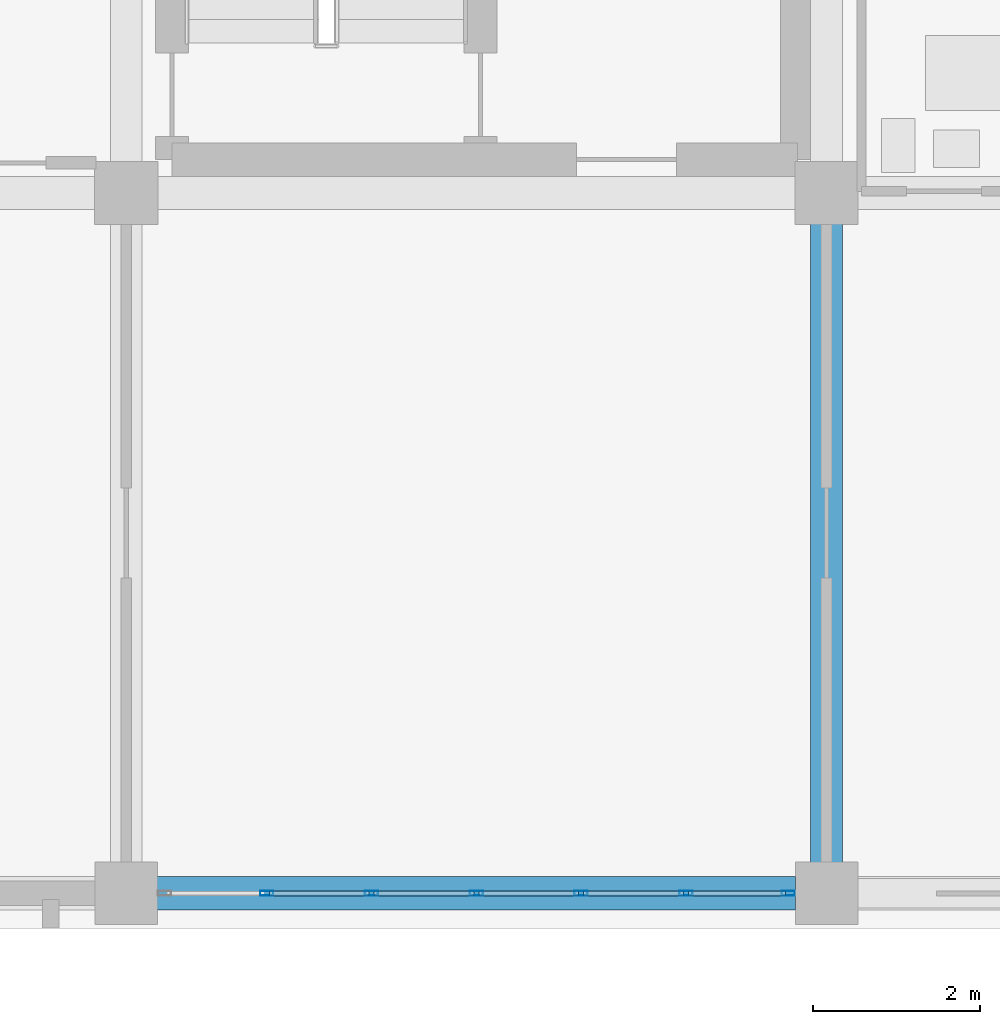
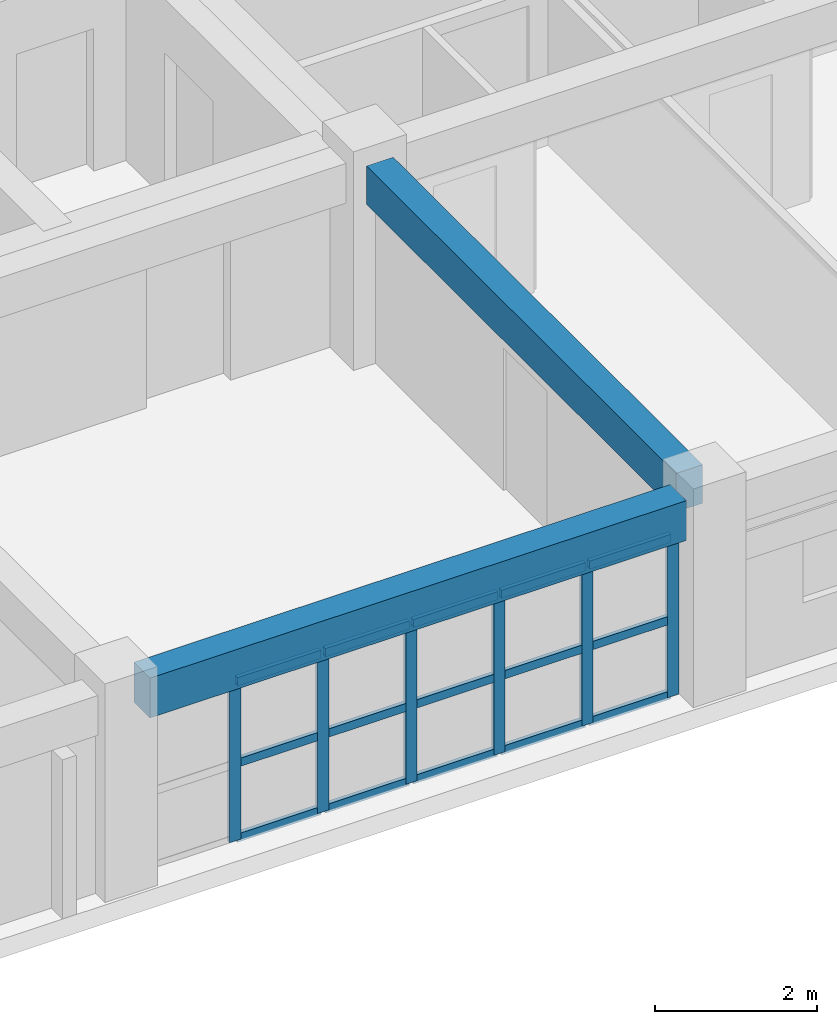
# One storey, part 52 of 200: 21 members, 2 beams, 1 element without a shape of its own.
"""IFC4 building model written with IfcOpenShell, lengths in metres."""

import ifcopenshell
import ifcopenshell.guid

model = None  # the IFC model being written
_history = None  # IfcOwnerHistory: only IFC2X3 demands one
_inside = {}  # id of a spatial element -> (the spatial element, [elements in it])
_under = {}  # id of a project, library or spatial element -> (it, [spatial elements below it])
_declared = {}  # id of a project -> (the project, [libraries it declares])
_typed = {}  # id of a type object -> (the type object, [elements of that type])
_made_of = {}  # id of a material, layer set ... -> (it, [elements and type objects made of it])


def new_model(schema):
    """Start an empty IFC model of exactly this schema.

    Asked for "IFC4X3", IfcOpenShell would pick the latest addendum, in which some entities
    have other attributes; the version numbers below select the first issue.
    IFC2X3 requires an IfcOwnerHistory on every rooted entity: one is made here for all.
    """
    global model, _history
    if schema == "IFC4X3":
        model = ifcopenshell.file(schema_version=(4, 3, 0, 0))
    else:
        model = ifcopenshell.file(schema=schema)
    _inside.clear()
    _under.clear()
    _declared.clear()
    _typed.clear()
    _made_of.clear()
    _history = None
    if model.schema == "IFC2X3":
        org = make("IfcOrganization", Name="unknown")
        user = make(
            "IfcPersonAndOrganization",
            ThePerson=make("IfcPerson", FamilyName="unknown"),
            TheOrganization=org,
        )
        app = make(
            "IfcApplication",
            ApplicationDeveloper=org,
            Version="unknown",
            ApplicationFullName="unknown",
            ApplicationIdentifier="unknown",
        )
        _history = make(
            "IfcOwnerHistory",
            OwningUser=user,
            OwningApplication=app,
            ChangeAction="ADDED",
            CreationDate=0,
        )
    return model


def make(cls, **values):
    """One entity of the class cls with the attributes given. An attribute that is None is left unset."""
    return model.create_entity(
        cls, **{name: value for name, value in values.items() if value is not None}
    )


def rooted(cls, **values):
    """An entity with a GlobalId (a new one), such as an element, a storey or a relation."""
    return make(cls, GlobalId=ifcopenshell.guid.new(), OwnerHistory=_history, **values)


def si_unit(unit_type, name, prefix=None):
    """IfcSIUnit, for example si_unit("LENGTHUNIT", "METRE", prefix="MILLI")."""
    return make("IfcSIUnit", UnitType=unit_type, Prefix=prefix, Name=name)


def assignment(units):
    """IfcUnitAssignment: the units of a project."""
    return None if units is None else make("IfcUnitAssignment", Units=units)


def point(xyz):
    """IfcCartesianPoint."""
    return None if xyz is None else make("IfcCartesianPoint", Coordinates=xyz)


def direction(xyz):
    """IfcDirection."""
    return None if xyz is None else make("IfcDirection", DirectionRatios=xyz)


def frame(location, z_axis=None, x_axis=None):
    """IfcAxis2Placement3D, a coordinate frame: its origin and axes. An axis left out is left unset."""
    return make(
        "IfcAxis2Placement3D",
        Location=point(location),
        Axis=direction(z_axis),
        RefDirection=direction(x_axis),
    )


def frame_2d(location, x_axis=None):
    """IfcAxis2Placement2D, a coordinate frame in the plane: its origin and x axis."""
    return make(
        "IfcAxis2Placement2D", Location=point(location), RefDirection=direction(x_axis)
    )


def origin():
    """The frame at (0, 0, 0) with its axes left unset."""
    return frame((0.0, 0.0, 0.0))


def origin_2d():
    """The frame at (0, 0) in the plane with its x axis left unset."""
    return frame_2d((0.0, 0.0))


def place(relative_to, where):
    """IfcLocalPlacement: puts the frame where relative to a parent placement (None: the world)."""
    return make(
        "IfcLocalPlacement", PlacementRelTo=relative_to, RelativePlacement=where
    )


def context(
    kind, dimensions, precision=None, world=None, true_north=None, identifier=None
):
    """IfcGeometricRepresentationContext, for example the 3D "Model" context."""
    return make(
        "IfcGeometricRepresentationContext",
        ContextIdentifier=identifier,
        ContextType=kind,
        CoordinateSpaceDimension=dimensions,
        Precision=precision,
        WorldCoordinateSystem=world,
        TrueNorth=true_north,
    )


def subcontext(parent, identifier, kind, view, scale=None):
    """IfcGeometricRepresentationSubContext, for example "Body" below "Model"."""
    return make(
        "IfcGeometricRepresentationSubContext",
        ContextIdentifier=identifier,
        ContextType=kind,
        ParentContext=parent,
        TargetScale=scale,
        TargetView=view,
    )


def project(units=None, contexts=None):
    """IfcProject with its units and contexts."""
    return rooted(
        "IfcProject",
        Name="project",
        RepresentationContexts=contexts,
        UnitsInContext=assignment(units),
    )


def spatial(cls, under=None, at=None, **own):
    """A site, building, storey or space (cls), placed at a placement, below another one or the project."""
    s = rooted(cls, ObjectPlacement=at, **own)
    if under is not None:
        _under.setdefault(under.id(), (under, []))[1].append(s)
    return s


def profile(cls, at=None, kind="AREA", **sizes):
    """A parametric profile (cls). Its sizes go by their IFC names, for example OverallWidth=200.0."""
    return make(cls, ProfileType=kind, Position=at, **sizes)


def rectangle(**sizes):
    """IfcRectangleProfileDef."""
    return profile("IfcRectangleProfileDef", **sizes)


def hollow_rectangle(**sizes):
    """IfcRectangleHollowProfileDef."""
    return profile("IfcRectangleHollowProfileDef", **sizes)


def extrude(swept, where, along, depth):
    """IfcExtrudedAreaSolid: the profile swept, set in the frame where, extruded along a direction by depth."""
    return make(
        "IfcExtrudedAreaSolid",
        SweptArea=swept,
        Position=where,
        ExtrudedDirection=direction(along),
        Depth=depth,
    )


def shape(context_of_items, identifier, shape_type, items):
    """IfcShapeRepresentation: the items that make up one representation, for example the "Body"."""
    return make(
        "IfcShapeRepresentation",
        ContextOfItems=context_of_items,
        RepresentationIdentifier=identifier,
        RepresentationType=shape_type,
        Items=items,
    )


def material(Name=None, Category=None):
    """IfcMaterial."""
    return make("IfcMaterial", Name=Name, Category=Category)


def layer(
    of_material, thickness, ventilated=None, Name=None, Category=None, Priority=None
):
    """IfcMaterialLayer: one layer of a wall or slab, of a material (None: an air gap)."""
    return make(
        "IfcMaterialLayer",
        Material=of_material,
        LayerThickness=thickness,
        IsVentilated=ventilated,
        Name=Name,
        Category=Category,
        Priority=Priority,
    )


def layer_set(layers, Name=None):
    """IfcMaterialLayerSet."""
    return make("IfcMaterialLayerSet", MaterialLayers=layers, LayerSetName=Name)


def material_profile(
    of_material, cross_section, Name=None, Category=None, Priority=None
):
    """IfcMaterialProfile: a cross section and its material."""
    return make(
        "IfcMaterialProfile",
        Name=Name,
        Material=of_material,
        Profile=cross_section,
        Priority=Priority,
        Category=Category,
    )


def profile_set(profiles, Name=None, composite=None):
    """IfcMaterialProfileSet."""
    return make(
        "IfcMaterialProfileSet",
        Name=Name,
        MaterialProfiles=profiles,
        CompositeProfile=composite,
    )


def made_of(thing, what):
    """Note that an element or type object is made of a material, layer set ...; save() writes the relation."""
    if what is not None:
        _made_of.setdefault(what.id(), (what, []))[1].append(thing)
    return thing


def type_object(cls, material=None, **own):
    """A type object (cls), such as IfcWallType, which elements share."""
    return made_of(rooted(cls, **own), material)


def element(
    cls,
    number,
    at=None,
    inside=None,
    cuts=None,
    type_object=None,
    material=None,
    context=None,
    identifier="Body",
    shape_type=None,
    held_by="IfcProductDefinitionShape",
    body=None,
    shapes=None,
    **own,
):
    """One element of the class cls, such as IfcWall. Its Tag is "e" and its number.

    at: its placement. inside: the storey or other place that contains it. cuts: it is an
    opening in that element (IfcRelVoidsElement). A single representation is given by context,
    identifier, shape_type and body (its items); several are given by shapes. held_by: the class
    of the entity that holds the representations. save() writes the other relations.
    """
    e = rooted(cls, Tag="e%d" % number, ObjectPlacement=at, **own)
    if body is not None:
        shapes = [shape(context, identifier, shape_type, body)]
    if shapes is not None:
        e.Representation = make(held_by, Representations=shapes)
    if inside is not None:
        _inside.setdefault(inside.id(), (inside, []))[1].append(e)
    if cuts is not None:
        rooted(
            "IfcRelVoidsElement", RelatingBuildingElement=cuts, RelatedOpeningElement=e
        )
    if type_object is not None:
        _typed.setdefault(type_object.id(), (type_object, []))[1].append(e)
    return made_of(e, material)


def aggregate(whole, parts):
    """IfcRelAggregates: a whole, such as a stair, and the parts it consists of."""
    return rooted("IfcRelAggregates", RelatingObject=whole, RelatedObjects=parts)


def save(model, path):
    """Write the relations noted so far, then the file.

    IfcRelAggregates (storeys below a building ...), IfcRelContainedInSpatialStructure (elements
    in a storey), IfcRelDefinesByType, IfcRelAssociatesMaterial and IfcRelDeclares: one each for
    every whole, place, type object, material and project.
    """
    for whole, parts in _under.values():
        aggregate(whole, parts)
    for where, things in _inside.values():
        rooted(
            "IfcRelContainedInSpatialStructure",
            RelatedElements=things,
            RelatingStructure=where,
        )
    for kind, things in _typed.values():
        rooted("IfcRelDefinesByType", RelatedObjects=things, RelatingType=kind)
    for what, things in _made_of.values():
        rooted("IfcRelAssociatesMaterial", RelatedObjects=things, RelatingMaterial=what)
    for by, libraries in _declared.values():
        rooted("IfcRelDeclares", RelatingContext=by, RelatedDefinitions=libraries)
    model.write(path)


model = new_model("IFC4")

# Units and contexts
model_context = context("Model", 3, precision=1e-05, world=origin(), true_north=direction((0.0, 1.0)))
body_context = subcontext(model_context, "Body", "Model", "MODEL_VIEW")
ifc_project = project(units=[si_unit("LENGTHUNIT", "METRE"), si_unit("AREAUNIT", "SQUARE_METRE"), si_unit("VOLUMEUNIT", "CUBIC_METRE"), si_unit("PLANEANGLEUNIT", "RADIAN"), si_unit("MASSUNIT", "GRAM", prefix="KILO")], contexts=[model_context])

# Site, building, storey
site_placement = place(None, origin())
site = spatial("IfcSite", under=ifc_project, at=site_placement, CompositionType="ELEMENT")
building_placement = place(site_placement, origin())
building = spatial("IfcBuilding", under=site, at=building_placement, Name="Trelvath General Hospital", CompositionType="ELEMENT")
storey_placement = place(building_placement, frame((0.0, 0.0, 4.800048828125)))
storey = spatial("IfcBuildingStorey", under=building, at=storey_placement, Name="L01", CompositionType="ELEMENT", Elevation=4.800048828125)

# Beams
ifc_material_1 = material(Name="Concrete C35/45", Category="concrete")
ifc_material_profile_1 = material_profile(ifc_material_1, rectangle(XDim=0.3798828125, YDim=0.580078125, at=origin_2d()), Name="RCB380x580")
ifc_profile_set_1 = profile_set([ifc_material_profile_1], Name="Concrete C35/45")
beam_type_1 = type_object("IfcBeamType", Name="Beam RC380x580", PredefinedType="BEAM", material=ifc_profile_set_1)
beam_1_placement = place(storey_placement, frame((100.800048828125, 0.3701171875, 2.72998046875), z_axis=(0.0, 1.0, 0.0), x_axis=(-1.0, 0.0, 0.0)))
element("IfcBeam", 1, at=beam_1_placement, inside=storey, type_object=beam_type_1, Name="Grid Beam BY-112A", PredefinedType="BEAM", context=body_context, shape_type="SweptSolid", body=[
    extrude(rectangle(XDim=0.3798828125, YDim=0.580078125, at=origin_2d()), origin(), (0.0, 0.0, 1.0), 7.65478515625),
])
ifc_material_2 = material(Name="Concrete C35/45", Category="concrete")
ifc_material_profile_2 = material_profile(ifc_material_2, rectangle(XDim=0.39990234375, YDim=0.60009765625, at=origin_2d()), Name="RCB400x600")
ifc_profile_set_2 = profile_set([ifc_material_profile_2], Name="Concrete C35/45")
beam_type_2 = type_object("IfcBeamType", Name="Beam RC400x600", PredefinedType="BEAM", material=ifc_profile_set_2)
beam_2_placement = place(storey_placement, frame((92.77001953125, 0.0, 2.719970703125), z_axis=(1.0, 0.0, 0.0), x_axis=(0.0, 1.0, 0.0)))
element("IfcBeam", 2, at=beam_2_placement, inside=storey, type_object=beam_type_2, Name="Grid Beam BX-111A", PredefinedType="BEAM", context=body_context, shape_type="SweptSolid", body=[
    extrude(rectangle(XDim=0.39990234375, YDim=0.60009765625, at=origin_2d()), origin(), (0.0, 0.0, 1.0), 7.659912109375),
])

# Curtain wall, members
ifc_material_3 = material(Name="Anodised aluminium and low-E glass", Category="aluminium")
ifc_layer = layer(ifc_material_3, 0.159912109375)
ifc_layer_set = layer_set([ifc_layer], Name="Anodised aluminium and low-E glass")
curtain_wall_type = type_object("IfcCurtainWallType", Name="CW Facade 754 242 16", PredefinedType="USERDEFINED", material=ifc_layer_set)
curtain_wall_placement = place(storey_placement, origin())
curtain_wall = element("IfcCurtainWall", 3, at=curtain_wall_placement, inside=storey, type_object=curtain_wall_type, Name="Facade Curtain Wall CW-018", ObjectType="Unitised Glazed Curtain Wall", PredefinedType="USERDEFINED")
ifc_material_4 = material(Name="Anodised aluminium", Category="aluminium")
ifc_material_profile_3 = material_profile(ifc_material_4, hollow_rectangle(XDim=0.06005859375, YDim=0.159912109375, WallThickness=0.00390625, at=origin_2d()), Name="RHS60x160x4")
ifc_profile_set_3 = profile_set([ifc_material_profile_3], Name="Anodised aluminium")
member_type_1 = type_object("IfcMemberType", Name="CurtainMullion 60x160", PredefinedType="MULLION", material=ifc_profile_set_3)
member_1_placement = place(storey_placement, frame((100.340087890625, 0.0, 0.0), z_axis=(0.0, 0.0, 1.0), x_axis=(0.0, -1.0, 0.0)))
member_1 = element("IfcMember", 4, at=member_1_placement, type_object=member_type_1, Name="CW-018 mullion 1", PredefinedType="MULLION", context=body_context, shape_type="SweptSolid", body=[
    extrude(hollow_rectangle(XDim=0.06005859375, YDim=0.159912109375, WallThickness=0.00390625, at=origin_2d()), origin(), (0.0, 0.0, 1.0), 2.419921875),
])
member_2_placement = place(storey_placement, frame((99.11328125, 0.0, 0.0), z_axis=(0.0, 0.0, 1.0), x_axis=(0.0, -1.0, 0.0)))
member_2 = element("IfcMember", 5, at=member_2_placement, type_object=member_type_1, Name="CW-018 mullion 2", PredefinedType="MULLION", context=body_context, shape_type="SweptSolid", body=[
    extrude(hollow_rectangle(XDim=0.06005859375, YDim=0.159912109375, WallThickness=0.00390625, at=origin_2d()), origin(), (0.0, 0.0, 1.0), 2.419921875),
])
member_3_placement = place(storey_placement, frame((97.856689453125, 0.0, 0.0), z_axis=(0.0, 0.0, 1.0), x_axis=(0.0, -1.0, 0.0)))
member_3 = element("IfcMember", 6, at=member_3_placement, type_object=member_type_1, Name="CW-018 mullion 3", PredefinedType="MULLION", context=body_context, shape_type="SweptSolid", body=[
    extrude(hollow_rectangle(XDim=0.06005859375, YDim=0.159912109375, WallThickness=0.00390625, at=origin_2d()), origin(), (0.0, 0.0, 1.0), 2.419921875),
])
member_4_placement = place(storey_placement, frame((96.60009765625, 0.0, 0.0), z_axis=(0.0, 0.0, 1.0), x_axis=(0.0, -1.0, 0.0)))
member_4 = element("IfcMember", 7, at=member_4_placement, type_object=member_type_1, Name="CW-018 mullion 4", PredefinedType="MULLION", context=body_context, shape_type="SweptSolid", body=[
    extrude(hollow_rectangle(XDim=0.06005859375, YDim=0.159912109375, WallThickness=0.00390625, at=origin_2d()), origin(), (0.0, 0.0, 1.0), 2.419921875),
])
member_5_placement = place(storey_placement, frame((95.34326171875, 0.0, 0.0), z_axis=(0.0, 0.0, 1.0), x_axis=(0.0, -1.0, 0.0)))
member_5 = element("IfcMember", 8, at=member_5_placement, type_object=member_type_1, Name="CW-018 mullion 5", PredefinedType="MULLION", context=body_context, shape_type="SweptSolid", body=[
    extrude(hollow_rectangle(XDim=0.06005859375, YDim=0.159912109375, WallThickness=0.00390625, at=origin_2d()), origin(), (0.0, 0.0, 1.0), 2.419921875),
])
member_6_placement = place(storey_placement, frame((94.086669921875, 0.0, 0.0), z_axis=(0.0, 0.0, 1.0), x_axis=(0.0, -1.0, 0.0)))
member_6 = element("IfcMember", 9, at=member_6_placement, type_object=member_type_1, Name="CW-018 mullion 6", PredefinedType="MULLION", context=body_context, shape_type="SweptSolid", body=[
    extrude(hollow_rectangle(XDim=0.06005859375, YDim=0.159912109375, WallThickness=0.00390625, at=origin_2d()), origin(), (0.0, 0.0, 1.0), 2.419921875),
])
ifc_material_5 = material(Name="Anodised aluminium", Category="aluminium")
ifc_material_profile_4 = material_profile(ifc_material_5, hollow_rectangle(XDim=0.06005859375, YDim=0.125, WallThickness=0.00390625, at=origin_2d()), Name="RHS60x125x4")
ifc_profile_set_4 = profile_set([ifc_material_profile_4], Name="Anodised aluminium")
member_type_2 = type_object("IfcMemberType", Name="CurtainTransom 60x125", PredefinedType="USERDEFINED", material=ifc_profile_set_4)
member_7_placement = place(storey_placement, frame((100.31005859375, 0.0, 0.030029296875), z_axis=(-1.0, 0.0, 0.0), x_axis=(0.0, -1.0, 0.0)))
member_7 = element("IfcMember", 10, at=member_7_placement, type_object=member_type_2, Name="CW-018 transom 1.1", ObjectType="TRANSOM", PredefinedType="USERDEFINED", context=body_context, shape_type="SweptSolid", body=[
    extrude(hollow_rectangle(XDim=0.06005859375, YDim=0.125, WallThickness=0.00390625, at=origin_2d()), origin(), (0.0, 0.0, 1.0), 1.166748046875),
])
member_8_placement = place(storey_placement, frame((100.31005859375, 0.0, 1.161865234375), z_axis=(-1.0, 0.0, 0.0), x_axis=(0.0, -1.0, 0.0)))
member_8 = element("IfcMember", 11, at=member_8_placement, type_object=member_type_2, Name="CW-018 transom 1.2", ObjectType="TRANSOM", PredefinedType="USERDEFINED", context=body_context, shape_type="SweptSolid", body=[
    extrude(hollow_rectangle(XDim=0.06005859375, YDim=0.125, WallThickness=0.00390625, at=origin_2d()), origin(), (0.0, 0.0, 1.0), 1.166748046875),
])
member_9_placement = place(storey_placement, frame((100.31005859375, 0.0, 2.389892578125), z_axis=(-1.0, 0.0, 0.0), x_axis=(0.0, -1.0, 0.0)))
member_9 = element("IfcMember", 12, at=member_9_placement, type_object=member_type_2, Name="CW-018 transom 1.3", ObjectType="TRANSOM", PredefinedType="USERDEFINED", context=body_context, shape_type="SweptSolid", body=[
    extrude(hollow_rectangle(XDim=0.06005859375, YDim=0.125, WallThickness=0.00390625, at=origin_2d()), origin(), (0.0, 0.0, 1.0), 1.166748046875),
])
member_10_placement = place(storey_placement, frame((99.083251953125, 0.0, 0.030029296875), z_axis=(-1.0, 0.0, 0.0), x_axis=(0.0, -1.0, 0.0)))
member_10 = element("IfcMember", 13, at=member_10_placement, type_object=member_type_2, Name="CW-018 transom 2.1", ObjectType="TRANSOM", PredefinedType="USERDEFINED", context=body_context, shape_type="SweptSolid", body=[
    extrude(hollow_rectangle(XDim=0.06005859375, YDim=0.125, WallThickness=0.00390625, at=origin_2d()), origin(), (0.0, 0.0, 1.0), 1.196533203125),
])
member_11_placement = place(storey_placement, frame((99.083251953125, 0.0, 1.161865234375), z_axis=(-1.0, 0.0, 0.0), x_axis=(0.0, -1.0, 0.0)))
member_11 = element("IfcMember", 14, at=member_11_placement, type_object=member_type_2, Name="CW-018 transom 2.2", ObjectType="TRANSOM", PredefinedType="USERDEFINED", context=body_context, shape_type="SweptSolid", body=[
    extrude(hollow_rectangle(XDim=0.06005859375, YDim=0.125, WallThickness=0.00390625, at=origin_2d()), origin(), (0.0, 0.0, 1.0), 1.196533203125),
])
member_12_placement = place(storey_placement, frame((99.083251953125, 0.0, 2.389892578125), z_axis=(-1.0, 0.0, 0.0), x_axis=(0.0, -1.0, 0.0)))
member_12 = element("IfcMember", 15, at=member_12_placement, type_object=member_type_2, Name="CW-018 transom 2.3", ObjectType="TRANSOM", PredefinedType="USERDEFINED", context=body_context, shape_type="SweptSolid", body=[
    extrude(hollow_rectangle(XDim=0.06005859375, YDim=0.125, WallThickness=0.00390625, at=origin_2d()), origin(), (0.0, 0.0, 1.0), 1.196533203125),
])
member_13_placement = place(storey_placement, frame((97.82666015625, 0.0, 0.030029296875), z_axis=(-1.0, 0.0, 0.0), x_axis=(0.0, -1.0, 0.0)))
member_13 = element("IfcMember", 16, at=member_13_placement, type_object=member_type_2, Name="CW-018 transom 3.1", ObjectType="TRANSOM", PredefinedType="USERDEFINED", context=body_context, shape_type="SweptSolid", body=[
    extrude(hollow_rectangle(XDim=0.06005859375, YDim=0.125, WallThickness=0.00390625, at=origin_2d()), origin(), (0.0, 0.0, 1.0), 1.19677734375),
])
member_14_placement = place(storey_placement, frame((97.82666015625, 0.0, 1.161865234375), z_axis=(-1.0, 0.0, 0.0), x_axis=(0.0, -1.0, 0.0)))
member_14 = element("IfcMember", 17, at=member_14_placement, type_object=member_type_2, Name="CW-018 transom 3.2", ObjectType="TRANSOM", PredefinedType="USERDEFINED", context=body_context, shape_type="SweptSolid", body=[
    extrude(hollow_rectangle(XDim=0.06005859375, YDim=0.125, WallThickness=0.00390625, at=origin_2d()), origin(), (0.0, 0.0, 1.0), 1.19677734375),
])
member_15_placement = place(storey_placement, frame((97.82666015625, 0.0, 2.389892578125), z_axis=(-1.0, 0.0, 0.0), x_axis=(0.0, -1.0, 0.0)))
member_15 = element("IfcMember", 18, at=member_15_placement, type_object=member_type_2, Name="CW-018 transom 3.3", ObjectType="TRANSOM", PredefinedType="USERDEFINED", context=body_context, shape_type="SweptSolid", body=[
    extrude(hollow_rectangle(XDim=0.06005859375, YDim=0.125, WallThickness=0.00390625, at=origin_2d()), origin(), (0.0, 0.0, 1.0), 1.19677734375),
])
member_16_placement = place(storey_placement, frame((96.570068359375, 0.0, 0.030029296875), z_axis=(-1.0, 0.0, 0.0), x_axis=(0.0, -1.0, 0.0)))
member_16 = element("IfcMember", 19, at=member_16_placement, type_object=member_type_2, Name="CW-018 transom 4.1", ObjectType="TRANSOM", PredefinedType="USERDEFINED", context=body_context, shape_type="SweptSolid", body=[
    extrude(hollow_rectangle(XDim=0.06005859375, YDim=0.125, WallThickness=0.00390625, at=origin_2d()), origin(), (0.0, 0.0, 1.0), 1.19677734375),
])
member_17_placement = place(storey_placement, frame((96.570068359375, 0.0, 1.161865234375), z_axis=(-1.0, 0.0, 0.0), x_axis=(0.0, -1.0, 0.0)))
member_17 = element("IfcMember", 20, at=member_17_placement, type_object=member_type_2, Name="CW-018 transom 4.2", ObjectType="TRANSOM", PredefinedType="USERDEFINED", context=body_context, shape_type="SweptSolid", body=[
    extrude(hollow_rectangle(XDim=0.06005859375, YDim=0.125, WallThickness=0.00390625, at=origin_2d()), origin(), (0.0, 0.0, 1.0), 1.19677734375),
])
member_18_placement = place(storey_placement, frame((96.570068359375, 0.0, 2.389892578125), z_axis=(-1.0, 0.0, 0.0), x_axis=(0.0, -1.0, 0.0)))
member_18 = element("IfcMember", 21, at=member_18_placement, type_object=member_type_2, Name="CW-018 transom 4.3", ObjectType="TRANSOM", PredefinedType="USERDEFINED", context=body_context, shape_type="SweptSolid", body=[
    extrude(hollow_rectangle(XDim=0.06005859375, YDim=0.125, WallThickness=0.00390625, at=origin_2d()), origin(), (0.0, 0.0, 1.0), 1.19677734375),
])
member_19_placement = place(storey_placement, frame((95.313232421875, 0.0, 0.030029296875), z_axis=(-1.0, 0.0, 0.0), x_axis=(0.0, -1.0, 0.0)))
member_19 = element("IfcMember", 22, at=member_19_placement, type_object=member_type_2, Name="CW-018 transom 5.1", ObjectType="TRANSOM", PredefinedType="USERDEFINED", context=body_context, shape_type="SweptSolid", body=[
    extrude(hollow_rectangle(XDim=0.06005859375, YDim=0.125, WallThickness=0.00390625, at=origin_2d()), origin(), (0.0, 0.0, 1.0), 1.196533203125),
])
member_20_placement = place(storey_placement, frame((95.313232421875, 0.0, 1.161865234375), z_axis=(-1.0, 0.0, 0.0), x_axis=(0.0, -1.0, 0.0)))
member_20 = element("IfcMember", 23, at=member_20_placement, type_object=member_type_2, Name="CW-018 transom 5.2", ObjectType="TRANSOM", PredefinedType="USERDEFINED", context=body_context, shape_type="SweptSolid", body=[
    extrude(hollow_rectangle(XDim=0.06005859375, YDim=0.125, WallThickness=0.00390625, at=origin_2d()), origin(), (0.0, 0.0, 1.0), 1.196533203125),
])
member_21_placement = place(storey_placement, frame((95.313232421875, 0.0, 2.389892578125), z_axis=(-1.0, 0.0, 0.0), x_axis=(0.0, -1.0, 0.0)))
member_21 = element("IfcMember", 24, at=member_21_placement, type_object=member_type_2, Name="CW-018 transom 5.3", ObjectType="TRANSOM", PredefinedType="USERDEFINED", context=body_context, shape_type="SweptSolid", body=[
    extrude(hollow_rectangle(XDim=0.06005859375, YDim=0.125, WallThickness=0.00390625, at=origin_2d()), origin(), (0.0, 0.0, 1.0), 1.196533203125),
])
aggregate(curtain_wall, [member_1, member_2, member_3, member_4, member_5, member_6, member_7, member_8, member_9, member_10, member_11, member_12, member_13, member_14, member_15, member_16, member_17, member_18, member_19, member_20, member_21])

save(model, "model.ifc")
